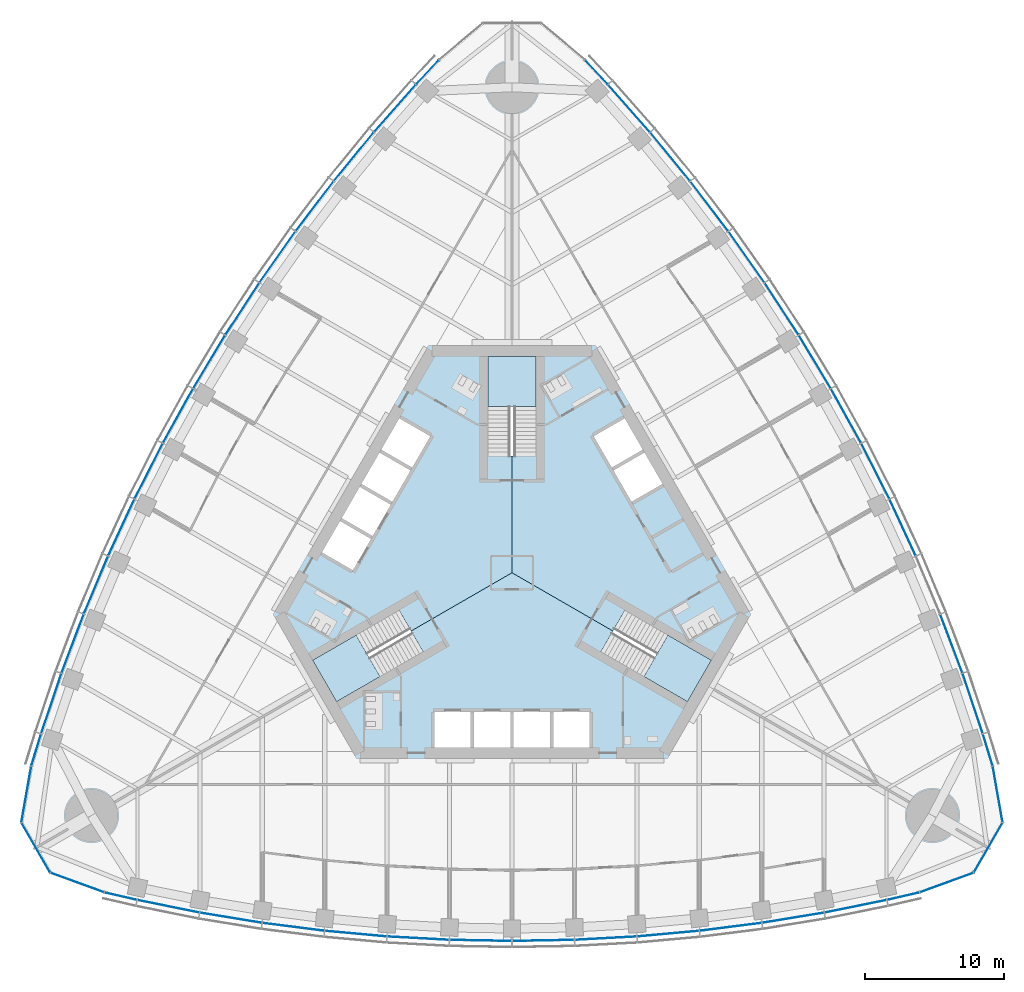
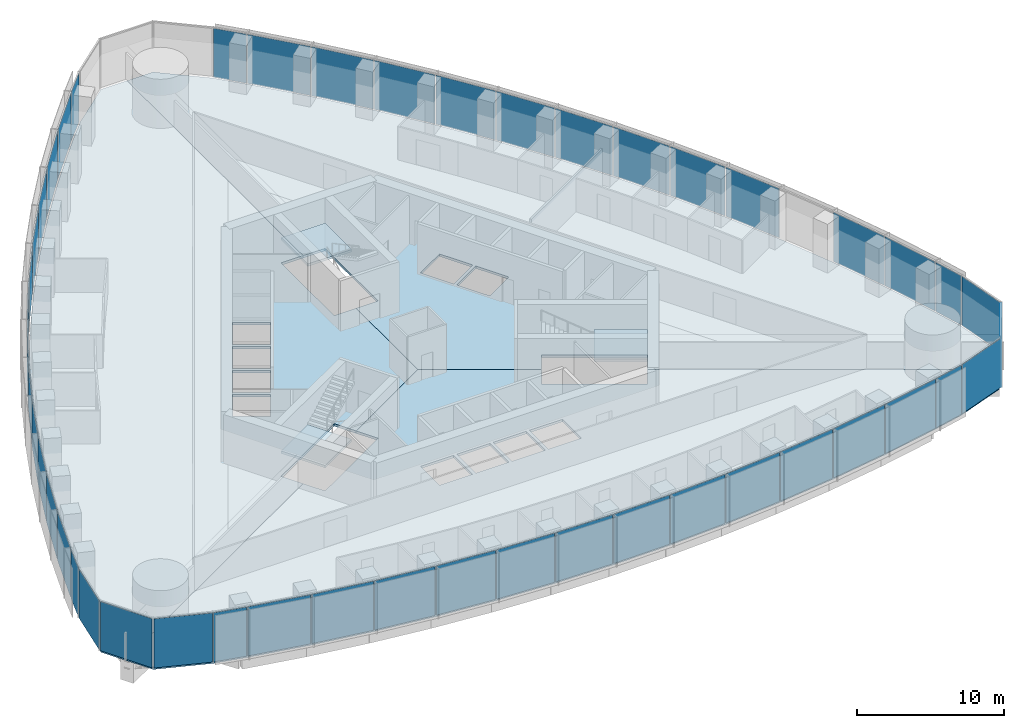
# One storey, part 10 of 21: 47 plates, 6 slabs, 8 elements without a shape of their own.
"""IFC4 building model written with IfcOpenShell, lengths in metres."""

from ifc_helpers import new_model, si_unit, direction, frame, origin, origin_2d, place, context, subcontext, project, spatial, polyline, rectangle, outline, extrude, material, layer, layer_set, type_object, element, aggregate, save


model = new_model("IFC4")

# Units and contexts
model_context = context("Model", 3, precision=1e-05, world=origin(), true_north=direction((0.0, 1.0)))
body_context = subcontext(model_context, "Body", "Model", "MODEL_VIEW")
ifc_project = project(units=[si_unit("LENGTHUNIT", "METRE"), si_unit("AREAUNIT", "SQUARE_METRE"), si_unit("VOLUMEUNIT", "CUBIC_METRE"), si_unit("PLANEANGLEUNIT", "RADIAN"), si_unit("MASSUNIT", "GRAM", prefix="KILO")], contexts=[model_context])

# Site, building, storey
site_placement = place(None, origin())
site = spatial("IfcSite", under=ifc_project, at=site_placement, CompositionType="ELEMENT")
building_placement = place(site_placement, origin())
building = spatial("IfcBuilding", under=site, at=building_placement, Name="Trefoil Bronze Tower", CompositionType="ELEMENT")
storey_placement = place(building_placement, frame((0.0, 0.0, 145.10009765625)))
storey = spatial("IfcBuildingStorey", under=building, at=storey_placement, Name="L33", CompositionType="ELEMENT", Elevation=145.10009765625)

# Curtain wall, plates
ifc_material_1 = material(Name="Tinted solar-control glass", Category="glass")
curtain_wall_type_1 = type_object("IfcCurtainWallType", Name="Bronze office curtain wall", PredefinedType="USERDEFINED", material=ifc_material_1)
curtain_wall_1_placement = place(storey_placement, origin())
curtain_wall_1 = element("IfcCurtainWall", 1, at=curtain_wall_1_placement, inside=storey, type_object=curtain_wall_type_1, Name="CW-A L33 F1", ObjectType="CURTAIN WALL", PredefinedType="USERDEFINED")
ifc_material_2 = material(Name="Tinted solar-control glass", Category="glass")
ifc_layer_1 = layer(ifc_material_2, 0.030029296875)
ifc_layer_set_1 = layer_set([ifc_layer_1], Name="Bronze office curtain wall glass panel")
plate_type_1 = type_object("IfcPlateType", Name="Bronze office curtain wall glass panel", PredefinedType="CURTAIN_PANEL", material=ifc_layer_set_1)
plate_1_placement = place(storey_placement, frame((-28.201416015625, -23.320068359375, -0.000244140625), z_axis=(0.0, 0.0, 1.0), x_axis=(0.97420444715, -0.225667222151, 0.0)))
plate_1 = element("IfcPlate", 2, at=plate_1_placement, type_object=plate_type_1, Name="CW-A L33 F1 panel 1", PredefinedType="CURTAIN_PANEL", context=body_context, shape_type="SweptSolid", body=[
    extrude(rectangle(XDim=2.340087890625, YDim=0.030029296875, at=origin_2d()), origin(), (0.0, 0.0, 1.0), 4.080078125),
])
plate_2_placement = place(storey_placement, frame((-24.769775390625, -24.048828125, -0.000244140625), z_axis=(0.0, 0.0, 1.0), x_axis=(0.980155155547, -0.198231861853, 0.0)))
plate_2 = element("IfcPlate", 3, at=plate_2_placement, type_object=plate_type_1, Name="CW-A L33 F1 panel 2", PredefinedType="CURTAIN_PANEL", context=body_context, shape_type="SweptSolid", body=[
    extrude(rectangle(XDim=4.51123046875, YDim=0.030029296875, at=origin_2d()), origin(), (0.0, 0.0, 1.0), 4.080078125),
])
plate_3_placement = place(storey_placement, frame((-20.26611328125, -24.87451171875, -0.000244140625), z_axis=(0.0, 0.0, 1.0), x_axis=(0.986759655731, -0.162189339418, 0.0)))
plate_3 = element("IfcPlate", 4, at=plate_3_placement, type_object=plate_type_1, Name="CW-A L33 F1 panel 3", PredefinedType="CURTAIN_PANEL", context=body_context, shape_type="SweptSolid", body=[
    extrude(rectangle(XDim=4.48046875, YDim=0.030029296875, at=origin_2d()), origin(), (0.0, 0.0, 1.0), 4.080078125),
])
plate_4_placement = place(storey_placement, frame((-15.7626953125, -25.53076171875, -0.000244140625), z_axis=(0.0, 0.0, 1.0), x_axis=(0.992011554286, -0.126147041833, 0.0)))
plate_4 = element("IfcPlate", 5, at=plate_4_placement, type_object=plate_type_1, Name="CW-A L33 F1 panel 4", PredefinedType="CURTAIN_PANEL", context=body_context, shape_type="SweptSolid", body=[
    extrude(rectangle(XDim=4.456298828125, YDim=0.030029296875, at=origin_2d()), origin(), (0.0, 0.0, 1.0), 4.080078125),
])
plate_5_placement = place(storey_placement, frame((-11.259033203125, -26.02099609375, -0.000244140625), z_axis=(0.0, 0.0, 1.0), x_axis=(0.995932279146, -0.090104913044, 0.0)))
plate_5 = element("IfcPlate", 6, at=plate_5_placement, type_object=plate_type_1, Name="CW-A L33 F1 panel 5", PredefinedType="CURTAIN_PANEL", context=body_context, shape_type="SweptSolid", body=[
    extrude(rectangle(XDim=4.4384765625, YDim=0.030029296875, at=origin_2d()), origin(), (0.0, 0.0, 1.0), 4.080078125),
])
plate_6_placement = place(storey_placement, frame((-6.75537109375, -26.3466796875, -0.000244140625), z_axis=(0.0, 0.0, 1.0), x_axis=(0.998537531923, -0.054062901701, 0.0)))
plate_6 = element("IfcPlate", 7, at=plate_6_placement, type_object=plate_type_1, Name="CW-A L33 F1 panel 6", PredefinedType="CURTAIN_PANEL", context=body_context, shape_type="SweptSolid", body=[
    extrude(rectangle(XDim=4.426513671875, YDim=0.030029296875, at=origin_2d()), origin(), (0.0, 0.0, 1.0), 4.080078125),
])
plate_7_placement = place(storey_placement, frame((-2.251708984375, -26.509033203125, -0.000244140625), z_axis=(0.0, 0.0, 1.0), x_axis=(0.999837609322, -0.018020959612, 0.0)))
plate_7 = element("IfcPlate", 8, at=plate_7_placement, type_object=plate_type_1, Name="CW-A L33 F1 panel 7", PredefinedType="CURTAIN_PANEL", context=body_context, shape_type="SweptSolid", body=[
    extrude(rectangle(XDim=4.420654296875, YDim=0.030029296875, at=origin_2d()), origin(), (0.0, 0.0, 1.0), 4.080078125),
])
plate_8_placement = place(storey_placement, frame((2.251708984375, -26.509033203125, -0.000244140625), z_axis=(0.0, 0.0, 1.0), x_axis=(0.999837609322, 0.018020959612, 0.0)))
plate_8 = element("IfcPlate", 9, at=plate_8_placement, type_object=plate_type_1, Name="CW-A L33 F1 panel 8", PredefinedType="CURTAIN_PANEL", context=body_context, shape_type="SweptSolid", body=[
    extrude(rectangle(XDim=4.420654296875, YDim=0.030029296875, at=origin_2d()), origin(), (0.0, 0.0, 1.0), 4.080078125),
])
plate_9_placement = place(storey_placement, frame((6.75537109375, -26.3466796875, -0.000244140625), z_axis=(0.0, 0.0, 1.0), x_axis=(0.998537531923, 0.054062901701, 0.0)))
plate_9 = element("IfcPlate", 10, at=plate_9_placement, type_object=plate_type_1, Name="CW-A L33 F1 panel 9", PredefinedType="CURTAIN_PANEL", context=body_context, shape_type="SweptSolid", body=[
    extrude(rectangle(XDim=4.426513671875, YDim=0.030029296875, at=origin_2d()), origin(), (0.0, 0.0, 1.0), 4.080078125),
])
plate_10_placement = place(storey_placement, frame((11.259033203125, -26.02099609375, -0.000244140625), z_axis=(0.0, 0.0, 1.0), x_axis=(0.995932279146, 0.090104913044, 0.0)))
plate_10 = element("IfcPlate", 11, at=plate_10_placement, type_object=plate_type_1, Name="CW-A L33 F1 panel 10", PredefinedType="CURTAIN_PANEL", context=body_context, shape_type="SweptSolid", body=[
    extrude(rectangle(XDim=4.4384765625, YDim=0.030029296875, at=origin_2d()), origin(), (0.0, 0.0, 1.0), 4.080078125),
])
plate_11_placement = place(storey_placement, frame((15.7626953125, -25.53076171875, -0.000244140625), z_axis=(0.0, 0.0, 1.0), x_axis=(0.992011554286, 0.126147041833, 0.0)))
plate_11 = element("IfcPlate", 12, at=plate_11_placement, type_object=plate_type_1, Name="CW-A L33 F1 panel 11", PredefinedType="CURTAIN_PANEL", context=body_context, shape_type="SweptSolid", body=[
    extrude(rectangle(XDim=4.456298828125, YDim=0.030029296875, at=origin_2d()), origin(), (0.0, 0.0, 1.0), 4.080078125),
])
plate_12_placement = place(storey_placement, frame((20.26611328125, -24.87451171875, -0.000244140625), z_axis=(0.0, 0.0, 1.0), x_axis=(0.986759655731, 0.162189339418, 0.0)))
plate_12 = element("IfcPlate", 13, at=plate_12_placement, type_object=plate_type_1, Name="CW-A L33 F1 panel 12", PredefinedType="CURTAIN_PANEL", context=body_context, shape_type="SweptSolid", body=[
    extrude(rectangle(XDim=4.48046875, YDim=0.030029296875, at=origin_2d()), origin(), (0.0, 0.0, 1.0), 4.080078125),
])
plate_13_placement = place(storey_placement, frame((24.769775390625, -24.048828125, -0.000244140625), z_axis=(0.0, 0.0, 1.0), x_axis=(0.980155155547, 0.198231861853, 0.0)))
plate_13 = element("IfcPlate", 14, at=plate_13_placement, type_object=plate_type_1, Name="CW-A L33 F1 panel 13", PredefinedType="CURTAIN_PANEL", context=body_context, shape_type="SweptSolid", body=[
    extrude(rectangle(XDim=4.51123046875, YDim=0.030029296875, at=origin_2d()), origin(), (0.0, 0.0, 1.0), 4.080078125),
])
plate_14_placement = place(storey_placement, frame((28.201416015625, -23.320068359375, -0.000244140625), z_axis=(0.0, 0.0, 1.0), x_axis=(0.97420444715, 0.225667222151, 0.0)))
plate_14 = element("IfcPlate", 15, at=plate_14_placement, type_object=plate_type_1, Name="CW-A L33 F1 panel 14", PredefinedType="CURTAIN_PANEL", context=body_context, shape_type="SweptSolid", body=[
    extrude(rectangle(XDim=2.340087890625, YDim=0.030029296875, at=origin_2d()), origin(), (0.0, 0.0, 1.0), 4.080078125),
])
aggregate(curtain_wall_1, [plate_1, plate_2, plate_3, plate_4, plate_5, plate_6, plate_7, plate_8, plate_9, plate_10, plate_11, plate_12, plate_13, plate_14])

curtain_wall_2_placement = place(storey_placement, origin())
curtain_wall_2 = element("IfcCurtainWall", 16, at=curtain_wall_2_placement, inside=storey, type_object=curtain_wall_type_1, Name="CW-A L33 F2", ObjectType="CURTAIN WALL", PredefinedType="USERDEFINED")
plate_15_placement = place(storey_placement, frame((34.296630859375, -12.762939453125, -0.000244140625), z_axis=(0.0, 0.0, 1.0), x_axis=(-0.291668676391, 0.956519410787, 0.0)))
plate_15 = element("IfcPlate", 17, at=plate_15_placement, type_object=plate_type_1, Name="CW-A L33 F2 panel 1", PredefinedType="CURTAIN_PANEL", context=body_context, shape_type="SweptSolid", body=[
    extrude(rectangle(XDim=2.340087890625, YDim=0.030029296875, at=origin_2d()), origin(), (0.0, 0.0, 1.0), 4.080078125),
])
plate_16_placement = place(storey_placement, frame((33.2119140625, -9.4267578125, -0.000244140625), z_axis=(0.0, 0.0, 1.0), x_axis=(-0.318403749569, 0.947955195281, 0.0)))
plate_16 = element("IfcPlate", 18, at=plate_16_placement, type_object=plate_type_1, Name="CW-A L33 F2 panel 2", PredefinedType="CURTAIN_PANEL", context=body_context, shape_type="SweptSolid", body=[
    extrude(rectangle(XDim=4.51123046875, YDim=0.030029296875, at=origin_2d()), origin(), (0.0, 0.0, 1.0), 4.080078125),
])
plate_17_placement = place(storey_placement, frame((31.675048828125, -5.11376953125, -0.000244140625), z_axis=(0.0, 0.0, 1.0), x_axis=(-0.352919739707, 0.935653599002, 0.0)))
plate_17 = element("IfcPlate", 19, at=plate_17_placement, type_object=plate_type_1, Name="CW-A L33 F2 panel 3", PredefinedType="CURTAIN_PANEL", context=body_context, shape_type="SweptSolid", body=[
    extrude(rectangle(XDim=4.48046875, YDim=0.030029296875, at=origin_2d()), origin(), (0.0, 0.0, 1.0), 4.080078125),
])
plate_18_placement = place(storey_placement, frame((28.164306640625, 3.260009765625, -0.000244140625), z_axis=(0.0, 0.0, 1.0), x_axis=(-0.419932995871, 0.907555110712, 0.0)))
plate_18 = element("IfcPlate", 20, at=plate_18_placement, type_object=plate_type_1, Name="CW-A L33 F2 panel 5", PredefinedType="CURTAIN_PANEL", context=body_context, shape_type="SweptSolid", body=[
    extrude(rectangle(XDim=4.4384765625, YDim=0.030029296875, at=origin_2d()), origin(), (0.0, 0.0, 1.0), 4.080078125),
])
plate_19_placement = place(storey_placement, frame((26.194580078125, 7.322998046875, -0.000244140625), z_axis=(0.0, 0.0, 1.0), x_axis=(-0.452448919686, 0.891790320128, 0.0)))
plate_19 = element("IfcPlate", 21, at=plate_19_placement, type_object=plate_type_1, Name="CW-A L33 F2 panel 6", PredefinedType="CURTAIN_PANEL", context=body_context, shape_type="SweptSolid", body=[
    extrude(rectangle(XDim=4.426513671875, YDim=0.030029296875, at=origin_2d()), origin(), (0.0, 0.0, 1.0), 4.080078125),
])
plate_20_placement = place(storey_placement, frame((24.08349609375, 11.304443359375, -0.000244140625), z_axis=(0.0, 0.0, 1.0), x_axis=(-0.484312195836, 0.874895249138, 0.0)))
plate_20 = element("IfcPlate", 22, at=plate_20_placement, type_object=plate_type_1, Name="CW-A L33 F2 panel 7", PredefinedType="CURTAIN_PANEL", context=body_context, shape_type="SweptSolid", body=[
    extrude(rectangle(XDim=4.420654296875, YDim=0.030029296875, at=origin_2d()), origin(), (0.0, 0.0, 1.0), 4.080078125),
])
plate_21_placement = place(storey_placement, frame((21.83154296875, 15.20458984375, -0.000244140625), z_axis=(0.0, 0.0, 1.0), x_axis=(-0.515525413486, 0.856874289526, 0.0)))
plate_21 = element("IfcPlate", 23, at=plate_21_placement, type_object=plate_type_1, Name="CW-A L33 F2 panel 8", PredefinedType="CURTAIN_PANEL", context=body_context, shape_type="SweptSolid", body=[
    extrude(rectangle(XDim=4.420654296875, YDim=0.030029296875, at=origin_2d()), origin(), (0.0, 0.0, 1.0), 4.080078125),
])
plate_22_placement = place(storey_placement, frame((19.439208984375, 19.023681640625, -0.000244140625), z_axis=(0.0, 0.0, 1.0), x_axis=(-0.546088612237, 0.837727418427, 0.0)))
plate_22 = element("IfcPlate", 24, at=plate_22_placement, type_object=plate_type_1, Name="CW-A L33 F2 panel 9", PredefinedType="CURTAIN_PANEL", context=body_context, shape_type="SweptSolid", body=[
    extrude(rectangle(XDim=4.426513671875, YDim=0.030029296875, at=origin_2d()), origin(), (0.0, 0.0, 1.0), 4.080078125),
])
plate_23_placement = place(storey_placement, frame((16.9052734375, 22.760986328125, -0.000244140625), z_axis=(0.0, 0.0, 1.0), x_axis=(-0.575999283275, 0.817450197667, 0.0)))
plate_23 = element("IfcPlate", 25, at=plate_23_placement, type_object=plate_type_1, Name="CW-A L33 F2 panel 10", PredefinedType="CURTAIN_PANEL", context=body_context, shape_type="SweptSolid", body=[
    extrude(rectangle(XDim=4.4384765625, YDim=0.030029296875, at=origin_2d()), origin(), (0.0, 0.0, 1.0), 4.080078125),
])
plate_24_placement = place(storey_placement, frame((14.22900390625, 26.416259765625, -0.000244140625), z_axis=(0.0, 0.0, 1.0), x_axis=(-0.605252319983, 0.796033685943, 0.0)))
plate_24 = element("IfcPlate", 26, at=plate_24_placement, type_object=plate_type_1, Name="CW-A L33 F2 panel 11", PredefinedType="CURTAIN_PANEL", context=body_context, shape_type="SweptSolid", body=[
    extrude(rectangle(XDim=4.456298828125, YDim=0.030029296875, at=origin_2d()), origin(), (0.0, 0.0, 1.0), 4.080078125),
])
plate_25_placement = place(storey_placement, frame((11.40869140625, 29.98828125, -0.000244140625), z_axis=(0.0, 0.0, 1.0), x_axis=(-0.633839916024, 0.773464259584, 0.0)))
plate_25 = element("IfcPlate", 27, at=plate_25_placement, type_object=plate_type_1, Name="CW-A L33 F2 panel 12", PredefinedType="CURTAIN_PANEL", context=body_context, shape_type="SweptSolid", body=[
    extrude(rectangle(XDim=4.48046875, YDim=0.030029296875, at=origin_2d()), origin(), (0.0, 0.0, 1.0), 4.080078125),
])
plate_26_placement = place(storey_placement, frame((8.442138671875, 33.475830078125, -0.000244140625), z_axis=(0.0, 0.0, 1.0), x_axis=(-0.661751405978, 0.749723333428, 0.0)))
plate_26 = element("IfcPlate", 28, at=plate_26_placement, type_object=plate_type_1, Name="CW-A L33 F2 panel 13", PredefinedType="CURTAIN_PANEL", context=body_context, shape_type="SweptSolid", body=[
    extrude(rectangle(XDim=4.51123046875, YDim=0.030029296875, at=origin_2d()), origin(), (0.0, 0.0, 1.0), 4.080078125),
])
plate_27_placement = place(storey_placement, frame((6.09521484375, 36.083251953125, -0.000244140625), z_axis=(0.0, 0.0, 1.0), x_axis=(-0.682535770759, 0.730852188636, 0.0)))
plate_27 = element("IfcPlate", 29, at=plate_27_placement, type_object=plate_type_1, Name="CW-A L33 F2 panel 14", PredefinedType="CURTAIN_PANEL", context=body_context, shape_type="SweptSolid", body=[
    extrude(rectangle(XDim=2.340087890625, YDim=0.030029296875, at=origin_2d()), origin(), (0.0, 0.0, 1.0), 4.080078125),
])
aggregate(curtain_wall_2, [plate_15, plate_16, plate_17, plate_18, plate_19, plate_20, plate_21, plate_22, plate_23, plate_24, plate_25, plate_26, plate_27])

curtain_wall_3_placement = place(storey_placement, origin())
curtain_wall_3 = element("IfcCurtainWall", 30, at=curtain_wall_3_placement, inside=storey, type_object=curtain_wall_type_1, Name="CW-A L33 F3", ObjectType="CURTAIN WALL", PredefinedType="USERDEFINED")
plate_28_placement = place(storey_placement, frame((-6.09521484375, 36.083251953125, -0.000244140625), z_axis=(0.0, 0.0, 1.0), x_axis=(-0.682535770759, -0.730852188636, 0.0)))
plate_28 = element("IfcPlate", 31, at=plate_28_placement, type_object=plate_type_1, Name="CW-A L33 F3 panel 1", PredefinedType="CURTAIN_PANEL", context=body_context, shape_type="SweptSolid", body=[
    extrude(rectangle(XDim=2.340087890625, YDim=0.030029296875, at=origin_2d()), origin(), (0.0, 0.0, 1.0), 4.080078125),
])
plate_29_placement = place(storey_placement, frame((-8.442138671875, 33.475830078125, -0.000244140625), z_axis=(0.0, 0.0, 1.0), x_axis=(-0.661751405978, -0.749723333428, 0.0)))
plate_29 = element("IfcPlate", 32, at=plate_29_placement, type_object=plate_type_1, Name="CW-A L33 F3 panel 2", PredefinedType="CURTAIN_PANEL", context=body_context, shape_type="SweptSolid", body=[
    extrude(rectangle(XDim=4.51123046875, YDim=0.030029296875, at=origin_2d()), origin(), (0.0, 0.0, 1.0), 4.080078125),
])
plate_30_placement = place(storey_placement, frame((-11.40869140625, 29.98828125, -0.000244140625), z_axis=(0.0, 0.0, 1.0), x_axis=(-0.633839916024, -0.773464259584, 0.0)))
plate_30 = element("IfcPlate", 33, at=plate_30_placement, type_object=plate_type_1, Name="CW-A L33 F3 panel 3", PredefinedType="CURTAIN_PANEL", context=body_context, shape_type="SweptSolid", body=[
    extrude(rectangle(XDim=4.48046875, YDim=0.030029296875, at=origin_2d()), origin(), (0.0, 0.0, 1.0), 4.080078125),
])
plate_31_placement = place(storey_placement, frame((-14.22900390625, 26.416259765625, -0.000244140625), z_axis=(0.0, 0.0, 1.0), x_axis=(-0.605252319983, -0.796033685943, 0.0)))
plate_31 = element("IfcPlate", 34, at=plate_31_placement, type_object=plate_type_1, Name="CW-A L33 F3 panel 4", PredefinedType="CURTAIN_PANEL", context=body_context, shape_type="SweptSolid", body=[
    extrude(rectangle(XDim=4.456298828125, YDim=0.030029296875, at=origin_2d()), origin(), (0.0, 0.0, 1.0), 4.080078125),
])
plate_32_placement = place(storey_placement, frame((-16.9052734375, 22.760986328125, -0.000244140625), z_axis=(0.0, 0.0, 1.0), x_axis=(-0.575999283275, -0.817450197667, 0.0)))
plate_32 = element("IfcPlate", 35, at=plate_32_placement, type_object=plate_type_1, Name="CW-A L33 F3 panel 5", PredefinedType="CURTAIN_PANEL", context=body_context, shape_type="SweptSolid", body=[
    extrude(rectangle(XDim=4.4384765625, YDim=0.030029296875, at=origin_2d()), origin(), (0.0, 0.0, 1.0), 4.080078125),
])
plate_33_placement = place(storey_placement, frame((-19.439208984375, 19.023681640625, -0.000244140625), z_axis=(0.0, 0.0, 1.0), x_axis=(-0.546088612237, -0.837727418427, 0.0)))
plate_33 = element("IfcPlate", 36, at=plate_33_placement, type_object=plate_type_1, Name="CW-A L33 F3 panel 6", PredefinedType="CURTAIN_PANEL", context=body_context, shape_type="SweptSolid", body=[
    extrude(rectangle(XDim=4.426513671875, YDim=0.030029296875, at=origin_2d()), origin(), (0.0, 0.0, 1.0), 4.080078125),
])
plate_34_placement = place(storey_placement, frame((-21.83154296875, 15.20458984375, -0.000244140625), z_axis=(0.0, 0.0, 1.0), x_axis=(-0.515525413486, -0.856874289526, 0.0)))
plate_34 = element("IfcPlate", 37, at=plate_34_placement, type_object=plate_type_1, Name="CW-A L33 F3 panel 7", PredefinedType="CURTAIN_PANEL", context=body_context, shape_type="SweptSolid", body=[
    extrude(rectangle(XDim=4.420654296875, YDim=0.030029296875, at=origin_2d()), origin(), (0.0, 0.0, 1.0), 4.080078125),
])
plate_35_placement = place(storey_placement, frame((-24.08349609375, 11.304443359375, -0.000244140625), z_axis=(0.0, 0.0, 1.0), x_axis=(-0.484312195836, -0.874895249138, 0.0)))
plate_35 = element("IfcPlate", 38, at=plate_35_placement, type_object=plate_type_1, Name="CW-A L33 F3 panel 8", PredefinedType="CURTAIN_PANEL", context=body_context, shape_type="SweptSolid", body=[
    extrude(rectangle(XDim=4.420654296875, YDim=0.030029296875, at=origin_2d()), origin(), (0.0, 0.0, 1.0), 4.080078125),
])
plate_36_placement = place(storey_placement, frame((-26.194580078125, 7.322998046875, -0.000244140625), z_axis=(0.0, 0.0, 1.0), x_axis=(-0.452448919686, -0.891790320128, 0.0)))
plate_36 = element("IfcPlate", 39, at=plate_36_placement, type_object=plate_type_1, Name="CW-A L33 F3 panel 9", PredefinedType="CURTAIN_PANEL", context=body_context, shape_type="SweptSolid", body=[
    extrude(rectangle(XDim=4.426513671875, YDim=0.030029296875, at=origin_2d()), origin(), (0.0, 0.0, 1.0), 4.080078125),
])
plate_37_placement = place(storey_placement, frame((-28.164306640625, 3.260009765625, -0.000244140625), z_axis=(0.0, 0.0, 1.0), x_axis=(-0.419932995871, -0.907555110712, 0.0)))
plate_37 = element("IfcPlate", 40, at=plate_37_placement, type_object=plate_type_1, Name="CW-A L33 F3 panel 10", PredefinedType="CURTAIN_PANEL", context=body_context, shape_type="SweptSolid", body=[
    extrude(rectangle(XDim=4.4384765625, YDim=0.030029296875, at=origin_2d()), origin(), (0.0, 0.0, 1.0), 4.080078125),
])
plate_38_placement = place(storey_placement, frame((-29.99169921875, -0.885498046875, -0.000244140625), z_axis=(0.0, 0.0, 1.0), x_axis=(-0.386759234303, -0.922180727776, 0.0)))
plate_38 = element("IfcPlate", 41, at=plate_38_placement, type_object=plate_type_1, Name="CW-A L33 F3 panel 11", PredefinedType="CURTAIN_PANEL", context=body_context, shape_type="SweptSolid", body=[
    extrude(rectangle(XDim=4.456298828125, YDim=0.030029296875, at=origin_2d()), origin(), (0.0, 0.0, 1.0), 4.080078125),
])
plate_39_placement = place(storey_placement, frame((-31.675048828125, -5.11376953125, -0.000244140625), z_axis=(0.0, 0.0, 1.0), x_axis=(-0.352919739707, -0.935653599002, 0.0)))
plate_39 = element("IfcPlate", 42, at=plate_39_placement, type_object=plate_type_1, Name="CW-A L33 F3 panel 12", PredefinedType="CURTAIN_PANEL", context=body_context, shape_type="SweptSolid", body=[
    extrude(rectangle(XDim=4.48046875, YDim=0.030029296875, at=origin_2d()), origin(), (0.0, 0.0, 1.0), 4.080078125),
])
plate_40_placement = place(storey_placement, frame((-33.2119140625, -9.4267578125, -0.000244140625), z_axis=(0.0, 0.0, 1.0), x_axis=(-0.318403749569, -0.947955195281, 0.0)))
plate_40 = element("IfcPlate", 43, at=plate_40_placement, type_object=plate_type_1, Name="CW-A L33 F3 panel 13", PredefinedType="CURTAIN_PANEL", context=body_context, shape_type="SweptSolid", body=[
    extrude(rectangle(XDim=4.51123046875, YDim=0.030029296875, at=origin_2d()), origin(), (0.0, 0.0, 1.0), 4.080078125),
])
plate_41_placement = place(storey_placement, frame((-34.296630859375, -12.762939453125, -0.000244140625), z_axis=(0.0, 0.0, 1.0), x_axis=(-0.291668676391, -0.956519410787, 0.0)))
plate_41 = element("IfcPlate", 44, at=plate_41_placement, type_object=plate_type_1, Name="CW-A L33 F3 panel 14", PredefinedType="CURTAIN_PANEL", context=body_context, shape_type="SweptSolid", body=[
    extrude(rectangle(XDim=2.340087890625, YDim=0.030029296875, at=origin_2d()), origin(), (0.0, 0.0, 1.0), 4.080078125),
])
aggregate(curtain_wall_3, [plate_28, plate_29, plate_30, plate_31, plate_32, plate_33, plate_34, plate_35, plate_36, plate_37, plate_38, plate_39, plate_40, plate_41])

ifc_material_3 = material(Name="Tinted solar-control glass", Category="glass")
curtain_wall_type_2 = type_object("IfcCurtainWallType", Name="Bronze rounded corner curtain wall", PredefinedType="USERDEFINED", material=ifc_material_3)
curtain_wall_4_placement = place(storey_placement, origin())
curtain_wall_4 = element("IfcCurtainWall", 45, at=curtain_wall_4_placement, inside=storey, type_object=curtain_wall_type_2, Name="CW-B L33 K1", ObjectType="CURTAIN WALL", PredefinedType="USERDEFINED")
ifc_material_4 = material(Name="Tinted solar-control glass", Category="glass")
ifc_layer_2 = layer(ifc_material_4, 0.030029296875)
ifc_layer_set_2 = layer_set([ifc_layer_2], Name="Bronze rounded corner curtain wall glass panel")
plate_type_2 = type_object("IfcPlateType", Name="Bronze rounded corner curtain wall glass panel", PredefinedType="CURTAIN_PANEL", material=ifc_layer_set_2)
plate_42_placement = place(storey_placement, frame((31.3203125, -22.341796875, -0.000244140625), z_axis=(0.0, 0.0, 1.0), x_axis=(0.939692620786, 0.342020143326, 0.0)))
plate_42 = element("IfcPlate", 46, at=plate_42_placement, type_object=plate_type_2, Name="CW-B L33 K1 panel 1", PredefinedType="CURTAIN_PANEL", context=body_context, shape_type="SweptSolid", body=[
    extrude(rectangle(XDim=4.044189453125, YDim=0.030029296875, at=origin_2d()), origin(), (0.0, 0.0, 1.0), 4.080078125),
])
plate_43_placement = place(storey_placement, frame((34.3271484375, -19.81884765625, -0.000244140625), z_axis=(0.0, 0.0, 1.0), x_axis=(0.5, 0.866025403784, 0.0)))
plate_43 = element("IfcPlate", 47, at=plate_43_placement, type_object=plate_type_2, Name="CW-B L33 K1 panel 2", PredefinedType="CURTAIN_PANEL", context=body_context, shape_type="SweptSolid", body=[
    extrude(rectangle(XDim=4.044189453125, YDim=0.030029296875, at=origin_2d()), origin(), (0.0, 0.0, 1.0), 4.080078125),
])
plate_44_placement = place(storey_placement, frame((35.0087890625, -15.953369140625, -0.000244140625), z_axis=(0.0, 0.0, 1.0), x_axis=(-0.173648177667, 0.984807753012, 0.0)))
plate_44 = element("IfcPlate", 48, at=plate_44_placement, type_object=plate_type_2, Name="CW-B L33 K1 panel 3", PredefinedType="CURTAIN_PANEL", context=body_context, shape_type="SweptSolid", body=[
    extrude(rectangle(XDim=4.044189453125, YDim=0.030029296875, at=origin_2d()), origin(), (0.0, 0.0, 1.0), 4.080078125),
])
aggregate(curtain_wall_4, [plate_42, plate_43, plate_44])

curtain_wall_5_placement = place(storey_placement, origin())
curtain_wall_5 = element("IfcCurtainWall", 49, at=curtain_wall_5_placement, inside=storey, type_object=curtain_wall_type_2, Name="CW-B L33 K3", ObjectType="CURTAIN WALL", PredefinedType="USERDEFINED")
plate_45_placement = place(storey_placement, frame((-35.0087890625, -15.953369140625, -0.000244140625), z_axis=(0.0, 0.0, 1.0), x_axis=(-0.173648177667, -0.984807753012, 0.0)))
plate_45 = element("IfcPlate", 50, at=plate_45_placement, type_object=plate_type_2, Name="CW-B L33 K3 panel 1", PredefinedType="CURTAIN_PANEL", context=body_context, shape_type="SweptSolid", body=[
    extrude(rectangle(XDim=4.044189453125, YDim=0.030029296875, at=origin_2d()), origin(), (0.0, 0.0, 1.0), 4.080078125),
])
plate_46_placement = place(storey_placement, frame((-34.3271484375, -19.81884765625, -0.000244140625), z_axis=(0.0, 0.0, 1.0), x_axis=(0.5, -0.866025403784, 0.0)))
plate_46 = element("IfcPlate", 51, at=plate_46_placement, type_object=plate_type_2, Name="CW-B L33 K3 panel 2", PredefinedType="CURTAIN_PANEL", context=body_context, shape_type="SweptSolid", body=[
    extrude(rectangle(XDim=4.044189453125, YDim=0.030029296875, at=origin_2d()), origin(), (0.0, 0.0, 1.0), 4.080078125),
])
plate_47_placement = place(storey_placement, frame((-31.3203125, -22.341796875, -0.000244140625), z_axis=(0.0, 0.0, 1.0), x_axis=(0.939692620786, -0.342020143326, 0.0)))
plate_47 = element("IfcPlate", 52, at=plate_47_placement, type_object=plate_type_2, Name="CW-B L33 K3 panel 3", PredefinedType="CURTAIN_PANEL", context=body_context, shape_type="SweptSolid", body=[
    extrude(rectangle(XDim=4.044189453125, YDim=0.030029296875, at=origin_2d()), origin(), (0.0, 0.0, 1.0), 4.080078125),
])
aggregate(curtain_wall_5, [plate_45, plate_46, plate_47])

# Slabs
ifc_material_5 = material(Name="Concrete B30", Category="concrete")
ifc_layer_3 = layer(ifc_material_5, 0.199951171875)
ifc_layer_set_3 = layer_set([ifc_layer_3], Name="Floor slab 200")
slab_type_1 = type_object("IfcSlabType", Name="Floor slab 200", PredefinedType="FLOOR", material=ifc_layer_set_3)
slab_1_placement = place(storey_placement, frame((0.0, 0.0, -0.2001953125)))
element("IfcSlab", 53, at=slab_1_placement, inside=storey, type_object=slab_type_1, Name="Floor slab L33 face 1", PredefinedType="FLOOR", context=body_context, shape_type="SweptSolid", body=[
    extrude(outline(polyline([(22.5, -24.406005859375), (18.0, -25.1455078125), (13.5, -25.7177734375), (9.0, -26.125), (4.5, -26.36865234375), (0.0, -26.44970703125), (-4.5, -26.36865234375), (-9.0, -26.125), (-13.5, -25.7177734375), (-18.0, -25.1455078125), (-22.5, -24.406005859375), (-27.0, -23.495849609375), (-29.357666015625, -22.94970703125), (-33.21435546875, -21.5458984375), (-34.240478515625, -19.768798828125), (-13.510009765625, -7.800048828125), (-12.6474609375, -9.2939453125), (-6.412109375, -5.69384765625), (-7.274658203125, -4.199951171875), (0.0, 0.0), (7.274658203125, -4.199951171875), (6.412109375, -5.69384765625), (12.6474609375, -9.2939453125), (13.510009765625, -7.800048828125), (34.240478515625, -19.768798828125), (33.21435546875, -21.5458984375), (29.357666015625, -22.94970703125), (27.0, -23.495849609375), (22.5, -24.406005859375)]), holes=[polyline([(-5.574951171875, -10.02490234375), (-2.97509765625, -10.02490234375), (-2.97509765625, -12.60009765625), (-5.574951171875, -12.60009765625), (-5.574951171875, -10.02490234375)]), polyline([(-2.72509765625, -10.02490234375), (-0.125, -10.02490234375), (-0.125, -12.60009765625), (-2.72509765625, -12.60009765625), (-2.72509765625, -10.02490234375)]), polyline([(0.125, -10.02490234375), (2.72509765625, -10.02490234375), (2.72509765625, -12.60009765625), (0.125, -12.60009765625), (0.125, -10.02490234375)]), polyline([(2.97509765625, -10.02490234375), (5.574951171875, -10.02490234375), (5.574951171875, -12.60009765625), (2.97509765625, -12.60009765625), (2.97509765625, -10.02490234375)])]), origin(), (0.0, 0.0, 1.0), 0.2001953125),
])
slab_2_placement = place(storey_placement, frame((0.0, 0.0, -0.2001953125)))
element("IfcSlab", 54, at=slab_2_placement, inside=storey, type_object=slab_type_1, Name="Floor slab L33 face 2", PredefinedType="FLOOR", context=body_context, shape_type="SweptSolid", body=[
    extrude(outline(polyline([(9.88623046875, 31.6884765625), (12.776611328125, 28.1611328125), (15.522216796875, 24.55029296875), (18.124755859375, 20.856689453125), (20.5859375, 17.081298828125), (22.906005859375, 13.224853515625), (25.0859375, 9.287109375), (27.124755859375, 5.268310546875), (29.022216796875, 1.16748046875), (30.776611328125, -3.015625), (32.38623046875, -7.28271484375), (33.847900390625, -11.634765625), (34.553955078125, -13.94970703125), (35.2666015625, -17.991455078125), (34.240478515625, -19.768798828125), (13.510009765625, -7.800048828125), (14.37255859375, -6.30615234375), (8.13720703125, -2.7060546875), (7.274658203125, -4.199951171875), (0.0, 0.0), (0.0, 8.39990234375), (1.72509765625, 8.39990234375), (1.72509765625, 15.60009765625), (0.0, 15.60009765625), (0.0, 39.53759765625), (2.052001953125, 39.53759765625), (5.196044921875, 36.8994140625), (6.847900390625, 35.130615234375), (9.88623046875, 31.6884765625)]), holes=[polyline([(8.619384765625, 5.120849609375), (7.3193359375, 7.372314453125), (9.54931640625, 8.659912109375), (10.849365234375, 6.408203125), (8.619384765625, 5.120849609375)]), polyline([(7.1943359375, 7.5888671875), (5.894287109375, 9.840576171875), (8.12451171875, 11.128173828125), (9.42431640625, 8.87646484375), (7.1943359375, 7.5888671875)])]), origin(), (0.0, 0.0, 1.0), 0.2001953125),
])
slab_3_placement = place(storey_placement, frame((0.0, 0.0, -0.2001953125)))
element("IfcSlab", 55, at=slab_3_placement, inside=storey, type_object=slab_type_1, Name="Floor slab L33 face 3", PredefinedType="FLOOR", context=body_context, shape_type="SweptSolid", body=[
    extrude(outline(polyline([(-32.38623046875, -7.28271484375), (-30.776611328125, -3.015625), (-29.022216796875, 1.16748046875), (-27.124755859375, 5.268310546875), (-25.0859375, 9.287109375), (-22.906005859375, 13.224853515625), (-20.5859375, 17.081298828125), (-18.124755859375, 20.856689453125), (-15.522216796875, 24.55029296875), (-12.776611328125, 28.1611328125), (-9.88623046875, 31.6884765625), (-6.847900390625, 35.130615234375), (-5.196044921875, 36.8994140625), (-2.052001953125, 39.53759765625), (0.0, 39.53759765625), (0.0, 15.60009765625), (-1.72509765625, 15.60009765625), (-1.72509765625, 8.39990234375), (0.0, 8.39990234375), (0.0, 0.0), (-7.274658203125, -4.199951171875), (-8.13720703125, -2.7060546875), (-14.37255859375, -6.30615234375), (-13.510009765625, -7.800048828125), (-34.240478515625, -19.768798828125), (-35.2666015625, -17.991455078125), (-34.553955078125, -13.94970703125), (-33.847900390625, -11.634765625), (-32.38623046875, -7.28271484375)]), holes=[polyline([(-5.894287109375, 9.840576171875), (-7.1943359375, 7.5888671875), (-9.42431640625, 8.87646484375), (-8.12451171875, 11.128173828125), (-5.894287109375, 9.840576171875)]), polyline([(-7.3193359375, 7.372314453125), (-8.619384765625, 5.120849609375), (-10.849365234375, 6.408203125), (-9.54931640625, 8.659912109375), (-7.3193359375, 7.372314453125)]), polyline([(-8.744384765625, 4.904296875), (-10.04443359375, 2.652587890625), (-12.2744140625, 3.940185546875), (-10.974365234375, 6.191650390625), (-8.744384765625, 4.904296875)]), polyline([(-10.16943359375, 2.43603515625), (-11.469482421875, 0.184326171875), (-13.699462890625, 1.471923828125), (-12.3994140625, 3.7236328125), (-10.16943359375, 2.43603515625)])]), origin(), (0.0, 0.0, 1.0), 0.2001953125),
])

# Stair, slab
ifc_material_6 = material(Name="Precast concrete B80", Category="concrete")
stair_type = type_object("IfcStairType", Name="Exit stair 26 risers", PredefinedType="HALF_TURN_STAIR", material=ifc_material_6)
stair_1_placement = place(storey_placement, origin())
stair_1 = element("IfcStair", 56, at=stair_1_placement, inside=storey, type_object=stair_type, Name="Stair ST1 L33", PredefinedType="HALF_TURN_STAIR")
ifc_material_7 = material(Name="Concrete B30", Category="concrete")
ifc_layer_4 = layer(ifc_material_7, 0.199951171875)
ifc_layer_set_4 = layer_set([ifc_layer_4], Name="Stair landing 200")
slab_type_2 = type_object("IfcSlabType", Name="Stair landing 200", PredefinedType="LANDING", material=ifc_layer_set_4)
slab_4_placement = place(storey_placement, frame((0.0, 0.0, 1.89990234375)))
slab_4 = element("IfcSlab", 57, at=slab_4_placement, type_object=slab_type_2, Name="ST1 landing 1", PredefinedType="LANDING", context=body_context, shape_type="SweptSolid", body=[
    extrude(outline(polyline([(9.512451171875, -7.48388671875), (12.6474609375, -9.2939453125), (14.37255859375, -6.30615234375), (11.237548828125, -4.49609375), (9.512451171875, -7.48388671875)])), origin(), (0.0, 0.0, 1.0), 0.199951171875),
])
aggregate(stair_1, [slab_4])

stair_2_placement = place(storey_placement, origin())
stair_2 = element("IfcStair", 58, at=stair_2_placement, inside=storey, type_object=stair_type, Name="Stair ST2 L33", PredefinedType="HALF_TURN_STAIR")
slab_5_placement = place(storey_placement, frame((0.0, 0.0, 1.89990234375)))
slab_5 = element("IfcSlab", 59, at=slab_5_placement, type_object=slab_type_2, Name="ST2 landing 1", PredefinedType="LANDING", context=body_context, shape_type="SweptSolid", body=[
    extrude(outline(polyline([(1.72509765625, 11.97998046875), (1.72509765625, 15.60009765625), (-1.72509765625, 15.60009765625), (-1.72509765625, 11.97998046875), (1.72509765625, 11.97998046875)])), origin(), (0.0, 0.0, 1.0), 0.199951171875),
])
aggregate(stair_2, [slab_5])

stair_3_placement = place(storey_placement, origin())
stair_3 = element("IfcStair", 60, at=stair_3_placement, inside=storey, type_object=stair_type, Name="Stair ST3 L33", PredefinedType="HALF_TURN_STAIR")
slab_6_placement = place(storey_placement, frame((0.0, 0.0, 1.89990234375)))
slab_6 = element("IfcSlab", 61, at=slab_6_placement, type_object=slab_type_2, Name="ST3 landing 1", PredefinedType="LANDING", context=body_context, shape_type="SweptSolid", body=[
    extrude(outline(polyline([(-11.237548828125, -4.49609375), (-14.37255859375, -6.30615234375), (-12.6474609375, -9.2939453125), (-9.512451171875, -7.48388671875), (-11.237548828125, -4.49609375)])), origin(), (0.0, 0.0, 1.0), 0.199951171875),
])
aggregate(stair_3, [slab_6])

save(model, "model.ifc")
